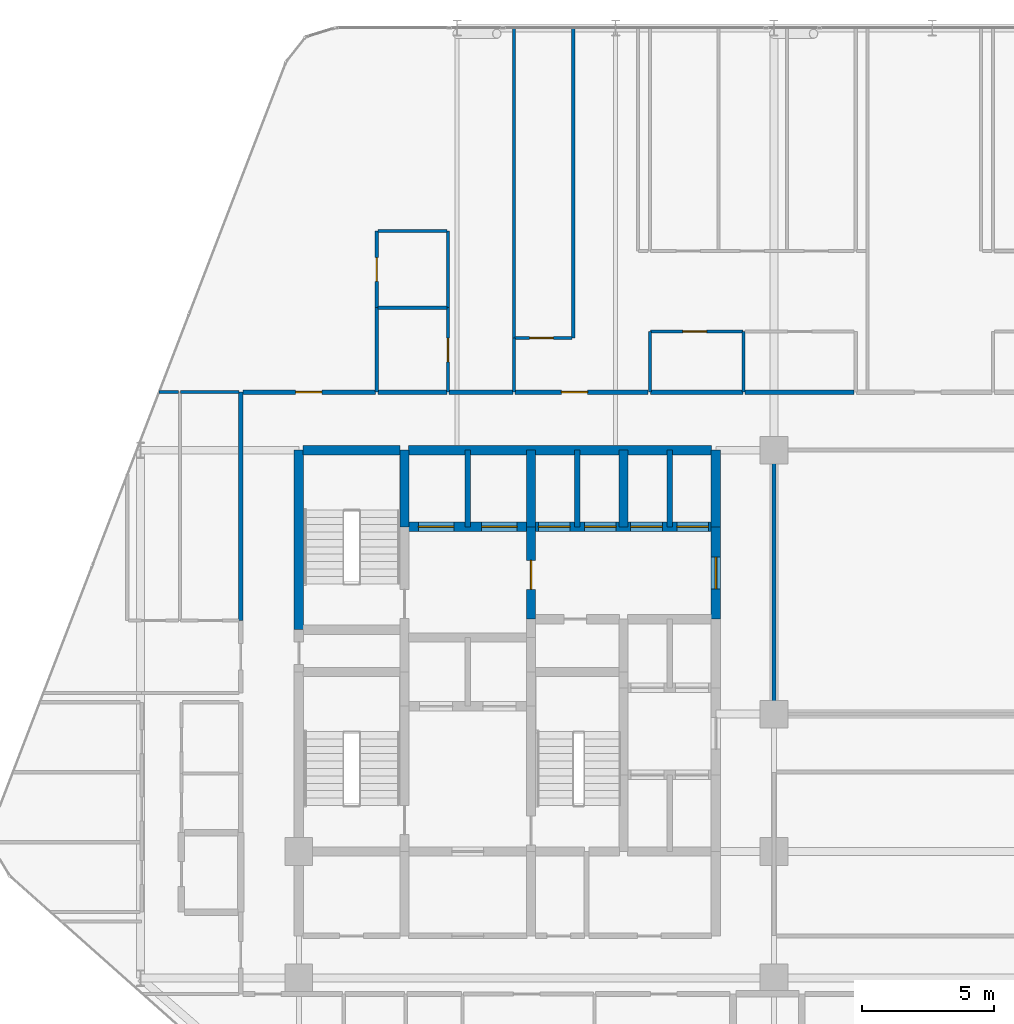
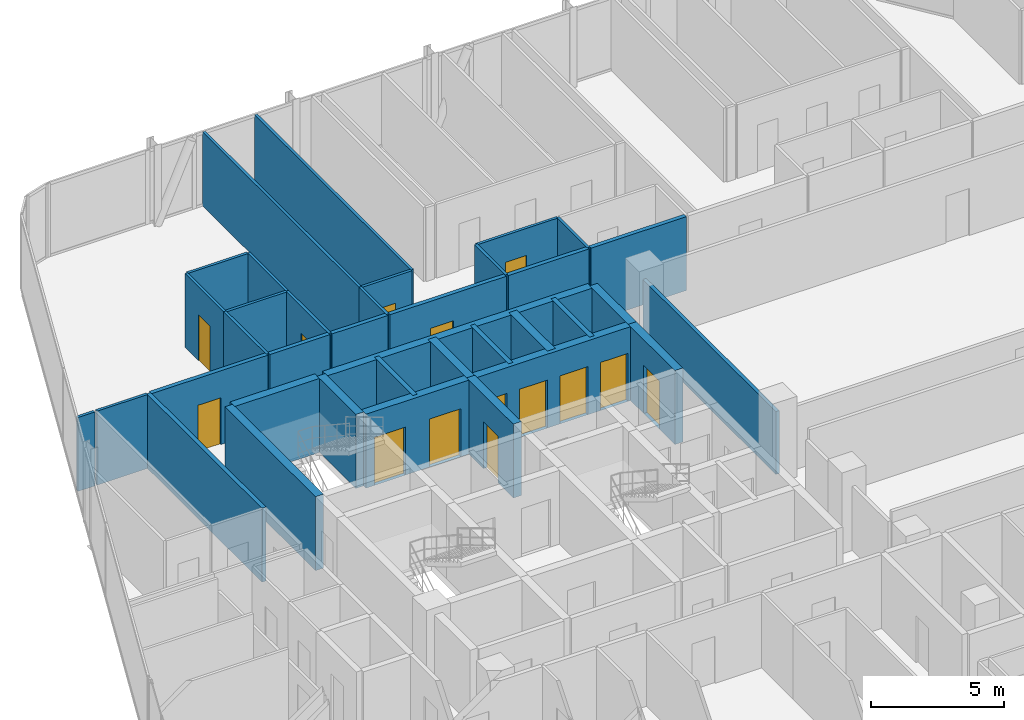
# One storey, part 26 of 29: 36 walls, 14 doors, 14 openings.
"""IFC4 building model written with IfcOpenShell, lengths in metres."""

from ifc_helpers import new_model, si_unit, direction, frame, frame_2d, origin, place, context, subcontext, project, spatial, rectangle, extrude, material, layer, layer_set, type_object, element, fill, save


model = new_model("IFC4")

# Units and contexts
model_context = context("Model", 3, precision=1e-05, world=origin(), true_north=direction((0.0, 1.0)))
body_context = subcontext(model_context, "Body", "Model", "MODEL_VIEW")
ifc_project = project(units=[si_unit("LENGTHUNIT", "METRE"), si_unit("AREAUNIT", "SQUARE_METRE"), si_unit("VOLUMEUNIT", "CUBIC_METRE"), si_unit("PLANEANGLEUNIT", "RADIAN"), si_unit("MASSUNIT", "GRAM", prefix="KILO")], contexts=[model_context])

# Site, building, storey
site_placement = place(None, origin())
site = spatial("IfcSite", under=ifc_project, at=site_placement, CompositionType="ELEMENT")
building_placement = place(site_placement, origin())
building = spatial("IfcBuilding", under=site, at=building_placement, Name="Keshet Zoharim Tower", CompositionType="ELEMENT")
storey_placement = place(building_placement, frame((0.0, 0.0, 105.699951171875)))
storey = spatial("IfcBuildingStorey", under=building, at=storey_placement, Name="L25", CompositionType="ELEMENT", Elevation=105.699951171875)

# Walls
ifc_material_1 = material(Name="Gypsum Plasterboard", Category="gypsum")
ifc_layer_1 = layer(ifc_material_1, 0.14990234375)
ifc_layer_set_1 = layer_set([ifc_layer_1], Name="Gypsum Plasterboard")
wall_type_1 = type_object("IfcWallType", Name="WL-CLIN-150", PredefinedType="STANDARD", material=ifc_layer_set_1)
wall_1_placement = place(storey_placement, frame((33.0, 27.909912109375, 0.0), z_axis=(0.0, 0.0, 1.0), x_axis=(0.0, 1.0, 0.0)))
element("IfcWall", 1, at=wall_1_placement, inside=storey, type_object=wall_type_1, Name="L25 Interior Wall 071", PredefinedType="STANDARD", context=body_context, shape_type="SweptSolid", body=[
    extrude(rectangle(XDim=9.97998046875, YDim=0.14990234375, at=frame_2d((4.989990234375, 0.0))), origin(), (0.0, 0.0, 1.0), 2.885009765625),
])
ifc_material_2 = material(Name="Concrete C60/75", Category="concrete")
ifc_layer_2 = layer(ifc_material_2, 0.35009765625)
ifc_layer_set_2 = layer_set([ifc_layer_2], Name="Concrete C60/75")
wall_type_2 = type_object("IfcWallType", Name="WL-CORE-350", PredefinedType="SHEAR", material=ifc_layer_set_2)
wall_2_placement = place(storey_placement, frame((15.0, 31.10009765625, 0.0), z_axis=(0.0, 0.0, 1.0), x_axis=(0.0, 1.0, 0.0)))
element("IfcWall", 2, at=wall_2_placement, inside=storey, type_object=wall_type_2, Name="L25 Core Shear Wall 016", PredefinedType="SHEAR", context=body_context, shape_type="SweptSolid", body=[
    extrude(rectangle(XDim=6.7998046875, YDim=0.35009765625, at=frame_2d((3.39990234375, 0.0))), origin(), (0.0, 0.0, 1.0), 3.385009765625),
])
wall_3_placement = place(storey_placement, frame((19.0, 35.0, 0.0), z_axis=(0.0, 0.0, 1.0), x_axis=(0.0, 1.0, 0.0)))
element("IfcWall", 3, at=wall_3_placement, inside=storey, type_object=wall_type_2, Name="L25 Core Shear Wall 025", PredefinedType="SHEAR", context=body_context, shape_type="SweptSolid", body=[
    extrude(rectangle(XDim=2.89990234375, YDim=0.35009765625, at=frame_2d((1.449951171875, 0.0))), origin(), (0.0, 0.0, 1.0), 3.385009765625),
])

# Wall, opening, door
wall_4_placement = place(storey_placement, frame((23.800048828125, 31.5, 0.0), z_axis=(0.0, 0.0, 1.0), x_axis=(0.0, 1.0, 0.0)))
wall_4 = element("IfcWall", 4, at=wall_4_placement, inside=storey, type_object=wall_type_2, Name="L25 Core Shear Wall 040", PredefinedType="SHEAR", context=body_context, shape_type="SweptSolid", body=[
    extrude(rectangle(XDim=3.5, YDim=0.35009765625, at=frame_2d((1.75, 0.0))), origin(), (0.0, 0.0, 1.0), 3.385009765625),
])
opening_1_placement = place(wall_4_placement, frame((1.126953125, 0.0, 0.0)))
opening_1 = element("IfcOpeningElement", 5, at=opening_1_placement, cuts=wall_4, Name="Opening D-F611", PredefinedType="OPENING", context=body_context, shape_type="SweptSolid", body=[
    extrude(rectangle(XDim=1.10009765625, YDim=2.14990234375, at=frame_2d((0.550048828125, 1.074951171875))), frame((0.0, 0.18505859375, 0.0), z_axis=(0.0, -1.0, 0.0), x_axis=(1.0, 0.0, 0.0)), (0.0, 0.0, 1.0), 0.3701171875),
])
ifc_material_3 = material(Name="Hardwood Timber", Category="wood")
door_type_1 = type_object("IfcDoorType", Name="DR-FD60-110", OperationType="NOTDEFINED", PredefinedType="DOOR", material=ifc_material_3)
door_1_placement = place(opening_1_placement, origin())
door_1 = element("IfcDoor", 6, at=door_1_placement, inside=storey, type_object=door_type_1, Name="L25 Firefighting Lobby Fire Door", OperationType="SINGLE_SWING_RIGHT", OverallHeight=2.14990234375, OverallWidth=1.10009765625, PredefinedType="DOOR", context=body_context, shape_type="SweptSolid", body=[
    extrude(rectangle(XDim=1.10009765625, YDim=2.14990234375, at=frame_2d((0.550048828125, 1.074951171875))), frame((0.0, 0.02490234375, 0.0), z_axis=(0.0, -1.0, 0.0), x_axis=(1.0, 0.0, 0.0)), (0.0, 0.0, 1.0), 0.050048828125),
])
fill(opening_1, door_1)

# Walls
for number, where, z_axis, x_axis, name in (
    (7, (23.800048828125, 35.0, 0.0), (0.0, 0.0, 1.0), (0.0, 1.0, 0.0), "L25 Core Shear Wall 041"),
    (8, (27.300048828125, 35.0, 0.0), (0.0, 0.0, 1.0), (0.0, 1.0, 0.0), "L25 Core Shear Wall 051"),
):
    element("IfcWall", number, at=place(storey_placement, frame(where, z_axis=z_axis, x_axis=x_axis)), inside=storey, type_object=wall_type_2, Name=name, PredefinedType="SHEAR", context=body_context, shape_type="SweptSolid", body=[
        extrude(rectangle(XDim=2.89990234375, YDim=0.35009765625, at=frame_2d((1.449951171875, 0.0))), origin(), (0.0, 0.0, 1.0), 3.385009765625),
    ])

# Wall, opening, door
wall_5_placement = place(storey_placement, frame((30.800048828125, 31.5, 0.0), z_axis=(0.0, 0.0, 1.0), x_axis=(0.0, 1.0, 0.0)))
wall_5 = element("IfcWall", 9, at=wall_5_placement, inside=storey, type_object=wall_type_2, Name="L25 Core Shear Wall 063", PredefinedType="SHEAR", context=body_context, shape_type="SweptSolid", body=[
    extrude(rectangle(XDim=3.5, YDim=0.35009765625, at=frame_2d((1.75, 0.0))), origin(), (0.0, 0.0, 1.0), 3.385009765625),
])
opening_2_placement = place(wall_5_placement, frame((1.14990234375, 0.0, 0.0)))
opening_2 = element("IfcOpeningElement", 10, at=opening_2_placement, cuts=wall_5, Name="Opening D-F612", PredefinedType="OPENING", context=body_context, shape_type="SweptSolid", body=[
    extrude(rectangle(XDim=1.199951171875, YDim=2.199951171875, at=frame_2d((0.60009765625, 1.10009765625))), frame((0.0, 0.18505859375, 0.0), z_axis=(0.0, -1.0, 0.0), x_axis=(1.0, 0.0, 0.0)), (0.0, 0.0, 1.0), 0.3701171875),
])
door_type_2 = type_object("IfcDoorType", Name="DR-FD60-120", OperationType="NOTDEFINED", PredefinedType="DOOR", material=ifc_material_3)
door_2_placement = place(opening_2_placement, origin())
door_2 = element("IfcDoor", 11, at=door_2_placement, inside=storey, type_object=door_type_2, Name="L25 North Lift Lobby East Fire Door", OperationType="SINGLE_SWING_RIGHT", OverallHeight=2.199951171875, OverallWidth=1.199951171875, PredefinedType="DOOR", context=body_context, shape_type="SweptSolid", body=[
    extrude(rectangle(XDim=1.199951171875, YDim=2.199951171875, at=frame_2d((0.60009765625, 1.10009765625))), frame((0.0, 0.02490234375, 0.0), z_axis=(0.0, -1.0, 0.0), x_axis=(1.0, 0.0, 0.0)), (0.0, 0.0, 1.0), 0.050048828125),
])
fill(opening_2, door_2)

# Wall
wall_6_placement = place(storey_placement, frame((30.800048828125, 35.0, 0.0), z_axis=(0.0, 0.0, 1.0), x_axis=(0.0, 1.0, 0.0)))
element("IfcWall", 12, at=wall_6_placement, inside=storey, type_object=wall_type_2, Name="L25 Core Shear Wall 064", PredefinedType="SHEAR", context=body_context, shape_type="SweptSolid", body=[
    extrude(rectangle(XDim=2.89990234375, YDim=0.35009765625, at=frame_2d((1.449951171875, 0.0))), origin(), (0.0, 0.0, 1.0), 3.385009765625),
])

# Wall, openings, doors
wall_7_placement = place(storey_placement, frame((19.159912109375, 35.0, 0.0), z_axis=(0.0, 0.0, 1.0), x_axis=(1.0, 0.0, 0.0)))
wall_7 = element("IfcWall", 13, at=wall_7_placement, inside=storey, type_object=wall_type_2, Name="L25 Core Shear Wall 175", PredefinedType="SHEAR", context=body_context, shape_type="SweptSolid", body=[
    extrude(rectangle(XDim=11.47998046875, YDim=0.35009765625, at=frame_2d((5.739990234375, 0.0))), origin(), (0.0, 0.0, 1.0), 3.385009765625),
])
opening_3_placement = place(wall_7_placement, frame((0.364990234375, 0.0, 0.0)))
opening_3 = element("IfcOpeningElement", 14, at=opening_3_placement, cuts=wall_7, Name="Opening LD-02", PredefinedType="OPENING", context=body_context, shape_type="SweptSolid", body=[
    extrude(rectangle(XDim=1.35009765625, YDim=2.199951171875, at=frame_2d((0.675048828125, 1.10009765625))), frame((0.0, 0.18505859375, 0.0), z_axis=(0.0, -1.0, 0.0), x_axis=(1.0, 0.0, 0.0)), (0.0, 0.0, 1.0), 0.3701171875),
])
opening_4_placement = place(wall_7_placement, frame((2.764892578125, 0.0, 0.0)))
opening_4 = element("IfcOpeningElement", 15, at=opening_4_placement, cuts=wall_7, Name="Opening LD-02", PredefinedType="OPENING", context=body_context, shape_type="SweptSolid", body=[
    extrude(rectangle(XDim=1.35009765625, YDim=2.199951171875, at=frame_2d((0.675048828125, 1.10009765625))), frame((0.0, 0.18505859375, 0.0), z_axis=(0.0, -1.0, 0.0), x_axis=(1.0, 0.0, 0.0)), (0.0, 0.0, 1.0), 0.3701171875),
])
opening_5_placement = place(wall_7_placement, frame((4.9150390625, 0.0, 0.0)))
opening_5 = element("IfcOpeningElement", 16, at=opening_5_placement, cuts=wall_7, Name="Opening LD-03", PredefinedType="OPENING", context=body_context, shape_type="SweptSolid", body=[
    extrude(rectangle(XDim=1.199951171875, YDim=2.199951171875, at=frame_2d((0.60009765625, 1.10009765625))), frame((0.0, 0.18505859375, 0.0), z_axis=(0.0, -1.0, 0.0), x_axis=(1.0, 0.0, 0.0)), (0.0, 0.0, 1.0), 0.3701171875),
])
opening_6_placement = place(wall_7_placement, frame((6.6650390625, 0.0, 0.0)))
opening_6 = element("IfcOpeningElement", 17, at=opening_6_placement, cuts=wall_7, Name="Opening LD-03", PredefinedType="OPENING", context=body_context, shape_type="SweptSolid", body=[
    extrude(rectangle(XDim=1.199951171875, YDim=2.199951171875, at=frame_2d((0.60009765625, 1.10009765625))), frame((0.0, 0.18505859375, 0.0), z_axis=(0.0, -1.0, 0.0), x_axis=(1.0, 0.0, 0.0)), (0.0, 0.0, 1.0), 0.3701171875),
])
opening_7_placement = place(wall_7_placement, frame((8.4150390625, 0.0, 0.0)))
opening_7 = element("IfcOpeningElement", 18, at=opening_7_placement, cuts=wall_7, Name="Opening LD-03", PredefinedType="OPENING", context=body_context, shape_type="SweptSolid", body=[
    extrude(rectangle(XDim=1.199951171875, YDim=2.199951171875, at=frame_2d((0.60009765625, 1.10009765625))), frame((0.0, 0.18505859375, 0.0), z_axis=(0.0, -1.0, 0.0), x_axis=(1.0, 0.0, 0.0)), (0.0, 0.0, 1.0), 0.3701171875),
])
opening_8_placement = place(wall_7_placement, frame((10.159912109375, 0.0, 0.0)))
opening_8 = element("IfcOpeningElement", 19, at=opening_8_placement, cuts=wall_7, Name="Opening LD-03", PredefinedType="OPENING", context=body_context, shape_type="SweptSolid", body=[
    extrude(rectangle(XDim=1.199951171875, YDim=2.199951171875, at=frame_2d((0.60009765625, 1.10009765625))), frame((0.0, 0.18505859375, 0.0), z_axis=(0.0, -1.0, 0.0), x_axis=(1.0, 0.0, 0.0)), (0.0, 0.0, 1.0), 0.3701171875),
])
ifc_material_4 = material(Name="Steel S355", Category="steel")
door_type_3 = type_object("IfcDoorType", Name="DR-LD02-135", OperationType="DOUBLE_DOOR_SLIDING", PredefinedType="DOOR", material=ifc_material_4)
door_3_placement = place(opening_3_placement, origin())
door_3 = element("IfcDoor", 20, at=door_3_placement, inside=storey, type_object=door_type_3, Name="L25 Firefighting Lift Landing Door FF-01", OperationType="DOUBLE_DOOR_SLIDING", OverallHeight=2.199951171875, OverallWidth=1.35009765625, PredefinedType="DOOR", context=body_context, shape_type="SweptSolid", body=[
    extrude(rectangle(XDim=1.35009765625, YDim=2.199951171875, at=frame_2d((0.675048828125, 1.10009765625))), frame((0.0, 0.02490234375, 0.0), z_axis=(0.0, -1.0, 0.0), x_axis=(1.0, 0.0, 0.0)), (0.0, 0.0, 1.0), 0.050048828125),
])
fill(opening_3, door_3)
door_4_placement = place(opening_4_placement, origin())
door_4 = element("IfcDoor", 21, at=door_4_placement, inside=storey, type_object=door_type_3, Name="L25 Firefighting Lift Landing Door FF-02", OperationType="DOUBLE_DOOR_SLIDING", OverallHeight=2.199951171875, OverallWidth=1.35009765625, PredefinedType="DOOR", context=body_context, shape_type="SweptSolid", body=[
    extrude(rectangle(XDim=1.35009765625, YDim=2.199951171875, at=frame_2d((0.675048828125, 1.10009765625))), frame((0.0, 0.02490234375, 0.0), z_axis=(0.0, -1.0, 0.0), x_axis=(1.0, 0.0, 0.0)), (0.0, 0.0, 1.0), 0.050048828125),
])
fill(opening_4, door_4)
door_type_4 = type_object("IfcDoorType", Name="DR-LD03-120", OperationType="DOUBLE_DOOR_SLIDING", PredefinedType="DOOR", material=ifc_material_4)
door_5_placement = place(opening_5_placement, origin())
door_5 = element("IfcDoor", 22, at=door_5_placement, inside=storey, type_object=door_type_4, Name="L25 Passenger Lift Landing Door LF-01", OperationType="DOUBLE_DOOR_SLIDING", OverallHeight=2.199951171875, OverallWidth=1.199951171875, PredefinedType="DOOR", context=body_context, shape_type="SweptSolid", body=[
    extrude(rectangle(XDim=1.199951171875, YDim=2.199951171875, at=frame_2d((0.60009765625, 1.10009765625))), frame((0.0, 0.02490234375, 0.0), z_axis=(0.0, -1.0, 0.0), x_axis=(1.0, 0.0, 0.0)), (0.0, 0.0, 1.0), 0.050048828125),
])
fill(opening_5, door_5)
door_6_placement = place(opening_6_placement, origin())
door_6 = element("IfcDoor", 23, at=door_6_placement, inside=storey, type_object=door_type_4, Name="L25 Passenger Lift Landing Door LF-02", OperationType="DOUBLE_DOOR_SLIDING", OverallHeight=2.199951171875, OverallWidth=1.199951171875, PredefinedType="DOOR", context=body_context, shape_type="SweptSolid", body=[
    extrude(rectangle(XDim=1.199951171875, YDim=2.199951171875, at=frame_2d((0.60009765625, 1.10009765625))), frame((0.0, 0.02490234375, 0.0), z_axis=(0.0, -1.0, 0.0), x_axis=(1.0, 0.0, 0.0)), (0.0, 0.0, 1.0), 0.050048828125),
])
fill(opening_6, door_6)
door_7_placement = place(opening_7_placement, origin())
door_7 = element("IfcDoor", 24, at=door_7_placement, inside=storey, type_object=door_type_4, Name="L25 Passenger Lift Landing Door LF-03", OperationType="DOUBLE_DOOR_SLIDING", OverallHeight=2.199951171875, OverallWidth=1.199951171875, PredefinedType="DOOR", context=body_context, shape_type="SweptSolid", body=[
    extrude(rectangle(XDim=1.199951171875, YDim=2.199951171875, at=frame_2d((0.60009765625, 1.10009765625))), frame((0.0, 0.02490234375, 0.0), z_axis=(0.0, -1.0, 0.0), x_axis=(1.0, 0.0, 0.0)), (0.0, 0.0, 1.0), 0.050048828125),
])
fill(opening_7, door_7)
door_8_placement = place(opening_8_placement, origin())
door_8 = element("IfcDoor", 25, at=door_8_placement, inside=storey, type_object=door_type_4, Name="L25 Passenger Lift Landing Door LF-04", OperationType="DOUBLE_DOOR_SLIDING", OverallHeight=2.199951171875, OverallWidth=1.199951171875, PredefinedType="DOOR", context=body_context, shape_type="SweptSolid", body=[
    extrude(rectangle(XDim=1.199951171875, YDim=2.199951171875, at=frame_2d((0.60009765625, 1.10009765625))), frame((0.0, 0.02490234375, 0.0), z_axis=(0.0, -1.0, 0.0), x_axis=(1.0, 0.0, 0.0)), (0.0, 0.0, 1.0), 0.050048828125),
])
fill(opening_8, door_8)

# Walls
wall_8_placement = place(storey_placement, frame((15.159912109375, 37.89990234375, 0.0), z_axis=(0.0, 0.0, 1.0), x_axis=(1.0, 0.0, 0.0)))
element("IfcWall", 26, at=wall_8_placement, inside=storey, type_object=wall_type_2, Name="L25 Core Shear Wall 176", PredefinedType="SHEAR", context=body_context, shape_type="SweptSolid", body=[
    extrude(rectangle(XDim=3.68017578125, YDim=0.35009765625, at=frame_2d((1.840087890625, 0.0))), origin(), (0.0, 0.0, 1.0), 3.385009765625),
])
wall_9_placement = place(storey_placement, frame((19.159912109375, 37.89990234375, 0.0), z_axis=(0.0, 0.0, 1.0), x_axis=(1.0, 0.0, 0.0)))
element("IfcWall", 27, at=wall_9_placement, inside=storey, type_object=wall_type_2, Name="L25 Core Shear Wall 177", PredefinedType="SHEAR", context=body_context, shape_type="SweptSolid", body=[
    extrude(rectangle(XDim=11.47998046875, YDim=0.35009765625, at=frame_2d((5.739990234375, 0.0))), origin(), (0.0, 0.0, 1.0), 3.385009765625),
])
ifc_layer_3 = layer(ifc_material_1, 0.179931640625)
ifc_layer_set_3 = layer_set([ifc_layer_3], Name="Gypsum Plasterboard")
wall_type_3 = type_object("IfcWallType", Name="WL-CORR-180", PredefinedType="STANDARD", material=ifc_layer_set_3)
wall_10_placement = place(storey_placement, frame((12.800048828125, 31.449951171875, 0.0), z_axis=(0.0, 0.0, 1.0), x_axis=(0.0, 1.0, 0.0)))
element("IfcWall", 28, at=wall_10_placement, inside=storey, type_object=wall_type_3, Name="L25 Interior Wall 012", PredefinedType="STANDARD", context=body_context, shape_type="SweptSolid", body=[
    extrude(rectangle(XDim=8.650146484375, YDim=0.179931640625, at=frame_2d((4.3251953125, 0.0))), origin(), (0.0, 0.0, 1.0), 3.385009765625),
])

# Wall, opening, door
wall_11_placement = place(storey_placement, frame((12.875, 40.10009765625, 0.0), z_axis=(0.0, 0.0, 1.0), x_axis=(1.0, 0.0, 0.0)))
wall_11 = element("IfcWall", 29, at=wall_11_placement, inside=storey, type_object=wall_type_3, Name="L25 Interior Wall 181", PredefinedType="STANDARD", context=body_context, shape_type="SweptSolid", body=[
    extrude(rectangle(XDim=5.030029296875, YDim=0.179931640625, at=frame_2d((2.51513671875, 0.0))), origin(), (0.0, 0.0, 1.0), 3.385009765625),
])
opening_9_placement = place(wall_11_placement, frame((2.0, 0.0, 0.0)))
opening_9 = element("IfcOpeningElement", 30, at=opening_9_placement, cuts=wall_11, Name="Opening D-F310", PredefinedType="OPENING", context=body_context, shape_type="SweptSolid", body=[
    extrude(rectangle(XDim=1.0, YDim=2.14990234375, at=frame_2d((0.5, 1.074951171875))), frame((0.0, 0.10009765625, 0.0), z_axis=(0.0, -1.0, 0.0), x_axis=(1.0, 0.0, 0.0)), (0.0, 0.0, 1.0), 0.199951171875),
])
door_type_5 = type_object("IfcDoorType", Name="DR-FD30-100", OperationType="NOTDEFINED", PredefinedType="DOOR", material=ifc_material_3)
door_9_placement = place(opening_9_placement, origin())
door_9 = element("IfcDoor", 31, at=door_9_placement, inside=storey, type_object=door_type_5, Name="Apartment 2504 Entrance Door", OperationType="SINGLE_SWING_RIGHT", OverallHeight=2.14990234375, OverallWidth=1.0, PredefinedType="DOOR", context=body_context, shape_type="SweptSolid", body=[
    extrude(rectangle(XDim=1.0, YDim=2.14990234375, at=frame_2d((0.5, 1.074951171875))), frame((0.0, 0.02490234375, 0.0), z_axis=(0.0, -1.0, 0.0), x_axis=(1.0, 0.0, 0.0)), (0.0, 0.0, 1.0), 0.050048828125),
])
fill(opening_9, door_9)

# Walls
wall_12_placement = place(storey_placement, frame((17.9951171875, 40.10009765625, 0.0), z_axis=(0.0, 0.0, 1.0), x_axis=(1.0, 0.0, 0.0)))
element("IfcWall", 32, at=wall_12_placement, inside=storey, type_object=wall_type_3, Name="L25 Interior Wall 182", PredefinedType="STANDARD", context=body_context, shape_type="SweptSolid", body=[
    extrude(rectangle(XDim=2.60986328125, YDim=0.179931640625, at=frame_2d((1.304931640625, 0.0))), origin(), (0.0, 0.0, 1.0), 3.385009765625),
])
wall_13_placement = place(storey_placement, frame((20.695068359375, 40.10009765625, 0.0), z_axis=(0.0, 0.0, 1.0), x_axis=(1.0, 0.0, 0.0)))
element("IfcWall", 33, at=wall_13_placement, inside=storey, type_object=wall_type_3, Name="L25 Interior Wall 183", PredefinedType="STANDARD", context=body_context, shape_type="SweptSolid", body=[
    extrude(rectangle(XDim=2.409912109375, YDim=0.179931640625, at=frame_2d((1.205078125, 0.0))), origin(), (0.0, 0.0, 1.0), 3.385009765625),
])

# Wall, opening, door
wall_14_placement = place(storey_placement, frame((23.195068359375, 40.10009765625, 0.0), z_axis=(0.0, 0.0, 1.0), x_axis=(1.0, 0.0, 0.0)))
wall_14 = element("IfcWall", 34, at=wall_14_placement, inside=storey, type_object=wall_type_3, Name="L25 Interior Wall 184", PredefinedType="STANDARD", context=body_context, shape_type="SweptSolid", body=[
    extrude(rectangle(XDim=5.0400390625, YDim=0.179931640625, at=frame_2d((2.52001953125, 0.0))), origin(), (0.0, 0.0, 1.0), 3.385009765625),
])
opening_10_placement = place(wall_14_placement, frame((1.75, 0.0, 0.0)))
opening_10 = element("IfcOpeningElement", 35, at=opening_10_placement, cuts=wall_14, Name="Opening D-F310", PredefinedType="OPENING", context=body_context, shape_type="SweptSolid", body=[
    extrude(rectangle(XDim=1.0, YDim=2.14990234375, at=frame_2d((0.5, 1.074951171875))), frame((0.0, 0.10009765625, 0.0), z_axis=(0.0, -1.0, 0.0), x_axis=(1.0, 0.0, 0.0)), (0.0, 0.0, 1.0), 0.199951171875),
])
door_10_placement = place(opening_10_placement, origin())
door_10 = element("IfcDoor", 36, at=door_10_placement, inside=storey, type_object=door_type_5, Name="Apartment 2505 Entrance Door", OperationType="SINGLE_SWING_LEFT", OverallHeight=2.14990234375, OverallWidth=1.0, PredefinedType="DOOR", context=body_context, shape_type="SweptSolid", body=[
    extrude(rectangle(XDim=1.0, YDim=2.14990234375, at=frame_2d((0.5, 1.074951171875))), frame((0.0, 0.02490234375, 0.0), z_axis=(0.0, -1.0, 0.0), x_axis=(1.0, 0.0, 0.0)), (0.0, 0.0, 1.0), 0.050048828125),
])
fill(opening_10, door_10)

# Walls
wall_15_placement = place(storey_placement, frame((28.324951171875, 40.10009765625, 0.0), z_axis=(0.0, 0.0, 1.0), x_axis=(1.0, 0.0, 0.0)))
element("IfcWall", 37, at=wall_15_placement, inside=storey, type_object=wall_type_3, Name="L25 Interior Wall 185", PredefinedType="STANDARD", context=body_context, shape_type="SweptSolid", body=[
    extrude(rectangle(XDim=3.498046875, YDim=0.179931640625, at=frame_2d((1.7490234375, 0.0))), origin(), (0.0, 0.0, 1.0), 3.385009765625),
])
wall_16_placement = place(storey_placement, frame((31.9130859375, 40.10009765625, 0.0), z_axis=(0.0, 0.0, 1.0), x_axis=(1.0, 0.0, 0.0)))
element("IfcWall", 38, at=wall_16_placement, inside=storey, type_object=wall_type_3, Name="L25 Interior Wall 186", PredefinedType="STANDARD", context=body_context, shape_type="SweptSolid", body=[
    extrude(rectangle(XDim=4.121826171875, YDim=0.179931640625, at=frame_2d((2.06103515625, 0.0))), origin(), (0.0, 0.0, 1.0), 3.385009765625),
])
ifc_material_5 = material(Name="Concrete C50/60", Category="concrete")
ifc_layer_4 = layer(ifc_material_5, 0.199951171875)
ifc_layer_set_4 = layer_set([ifc_layer_4], Name="Concrete C50/60")
wall_type_4 = type_object("IfcWallType", Name="WL-FIRE-200", PredefinedType="STANDARD", material=ifc_layer_set_4)
for number, where, z_axis, x_axis, name in (
    (39, (21.39990234375, 35.0, 0.0), (0.0, 0.0, 1.0), (0.0, 1.0, 0.0), "L25 Interior Wall 032"),
    (40, (25.550048828125, 35.0, 0.0), (0.0, 0.0, 1.0), (0.0, 1.0, 0.0), "L25 Interior Wall 043"),
    (41, (29.050048828125, 35.0, 0.0), (0.0, 0.0, 1.0), (0.0, 1.0, 0.0), "L25 Interior Wall 058"),
):
    element("IfcWall", number, at=place(storey_placement, frame(where, z_axis=z_axis, x_axis=x_axis)), inside=storey, type_object=wall_type_4, Name=name, PredefinedType="STANDARD", context=body_context, shape_type="SweptSolid", body=[
        extrude(rectangle(XDim=2.89990234375, YDim=0.199951171875, at=frame_2d((1.449951171875, 0.0))), origin(), (0.0, 0.0, 1.0), 3.385009765625),
    ])
ifc_layer_5 = layer(ifc_material_1, 0.1201171875)
ifc_layer_set_5 = layer_set([ifc_layer_5], Name="Gypsum Plasterboard")
wall_type_5 = type_object("IfcWallType", Name="WL-PART-120", PredefinedType="PARTITIONING", material=ifc_layer_set_5)
wall_17_placement = place(storey_placement, frame((17.949951171875, 40.10009765625, 0.0), z_axis=(0.0, 0.0, 1.0), x_axis=(0.0, 1.0, 0.0)))
element("IfcWall", 42, at=wall_17_placement, inside=storey, type_object=wall_type_5, Name="L25 Interior Wall 019", PredefinedType="PARTITIONING", context=body_context, shape_type="SweptSolid", body=[
    extrude(rectangle(XDim=3.199951171875, YDim=0.1201171875, at=frame_2d((1.60009765625, 0.0))), origin(), (0.0, 0.0, 1.0), 3.385009765625),
])

# Wall, opening, door
wall_18_placement = place(storey_placement, frame((20.64990234375, 40.10009765625, 0.0), z_axis=(0.0, 0.0, 1.0), x_axis=(0.0, 1.0, 0.0)))
wall_18 = element("IfcWall", 43, at=wall_18_placement, inside=storey, type_object=wall_type_5, Name="L25 Interior Wall 028", PredefinedType="PARTITIONING", context=body_context, shape_type="SweptSolid", body=[
    extrude(rectangle(XDim=3.199951171875, YDim=0.1201171875, at=frame_2d((1.60009765625, 0.0))), origin(), (0.0, 0.0, 1.0), 3.385009765625),
])
opening_11_placement = place(wall_18_placement, frame((1.14990234375, 0.0, 0.0)))
opening_11 = element("IfcOpeningElement", 44, at=opening_11_placement, cuts=wall_18, Name="Opening D-IN90", PredefinedType="OPENING", context=body_context, shape_type="SweptSolid", body=[
    extrude(rectangle(XDim=0.89990234375, YDim=2.14990234375, at=frame_2d((0.449951171875, 1.074951171875))), frame((0.0, 0.070068359375, 0.0), z_axis=(0.0, -1.0, 0.0), x_axis=(1.0, 0.0, 0.0)), (0.0, 0.0, 1.0), 0.14013671875),
])
door_type_6 = type_object("IfcDoorType", Name="DR-INT-090", OperationType="NOTDEFINED", PredefinedType="DOOR", material=ifc_material_3)
door_11_placement = place(opening_11_placement, origin())
door_11 = element("IfcDoor", 45, at=door_11_placement, inside=storey, type_object=door_type_6, Name="Apartment 2504 Kitchenette Door", OperationType="SINGLE_SWING_RIGHT", OverallHeight=2.14990234375, OverallWidth=0.89990234375, PredefinedType="DOOR", context=body_context, shape_type="SweptSolid", body=[
    extrude(rectangle(XDim=0.89990234375, YDim=2.14990234375, at=frame_2d((0.449951171875, 1.074951171875))), frame((0.0, 0.02490234375, 0.0), z_axis=(0.0, -1.0, 0.0), x_axis=(1.0, 0.0, 0.0)), (0.0, 0.0, 1.0), 0.050048828125),
])
fill(opening_11, door_11)

# Walls
wall_19_placement = place(storey_placement, frame((23.14990234375, 40.10009765625, 0.0), z_axis=(0.0, 0.0, 1.0), x_axis=(0.0, 1.0, 0.0)))
element("IfcWall", 46, at=wall_19_placement, inside=storey, type_object=wall_type_5, Name="L25 Interior Wall 033", PredefinedType="PARTITIONING", context=body_context, shape_type="SweptSolid", body=[
    extrude(rectangle(XDim=2.0498046875, YDim=0.1201171875, at=frame_2d((1.02490234375, 0.0))), origin(), (0.0, 0.0, 1.0), 3.385009765625),
])
for number, where, z_axis, x_axis, name in (
    (47, (23.14990234375, 42.14990234375, 0.0), (0.0, 0.0, 1.0), (0.0, 1.0, 0.0), "L25 Interior Wall 034"),
    (48, (25.39990234375, 42.14990234375, 0.0), (0.0, 0.0, 1.0), (0.0, 1.0, 0.0), "L25 Interior Wall 042"),
):
    element("IfcWall", number, at=place(storey_placement, frame(where, z_axis=z_axis, x_axis=x_axis)), inside=storey, type_object=wall_type_5, Name=name, PredefinedType="PARTITIONING", context=body_context, shape_type="SweptSolid", body=[
        extrude(rectangle(XDim=11.739990234375, YDim=0.1201171875, at=frame_2d((5.8701171875, 0.0))), origin(), (0.0, 0.0, 1.0), 3.385009765625),
    ])
wall_20_placement = place(storey_placement, frame((28.300048828125, 40.10009765625, 0.0), z_axis=(0.0, 0.0, 1.0), x_axis=(0.0, 1.0, 0.0)))
element("IfcWall", 49, at=wall_20_placement, inside=storey, type_object=wall_type_5, Name="L25 Interior Wall 053", PredefinedType="PARTITIONING", context=body_context, shape_type="SweptSolid", body=[
    extrude(rectangle(XDim=2.2998046875, YDim=0.1201171875, at=frame_2d((1.14990234375, 0.0))), origin(), (0.0, 0.0, 1.0), 3.385009765625),
])
wall_21_placement = place(storey_placement, frame((9.701904296875, 40.10009765625, 0.0), z_axis=(0.0, 0.0, 1.0), x_axis=(1.0, 0.0, 0.0)))
element("IfcWall", 50, at=wall_21_placement, inside=storey, type_object=wall_type_5, Name="L25 Interior Wall 179", PredefinedType="PARTITIONING", context=body_context, shape_type="SweptSolid", body=[
    extrude(rectangle(XDim=0.731201171875, YDim=0.1201171875, at=frame_2d((0.36572265625, 0.0))), origin(), (0.0, 0.0, 1.0), 3.385009765625),
])

# Wall, opening, door
wall_22_placement = place(storey_placement, frame((23.195068359375, 42.14990234375, 0.0), z_axis=(0.0, 0.0, 1.0), x_axis=(1.0, 0.0, 0.0)))
wall_22 = element("IfcWall", 51, at=wall_22_placement, inside=storey, type_object=wall_type_5, Name="L25 Interior Wall 196", PredefinedType="PARTITIONING", context=body_context, shape_type="SweptSolid", body=[
    extrude(rectangle(XDim=2.159912109375, YDim=0.1201171875, at=frame_2d((1.080078125, 0.0))), origin(), (0.0, 0.0, 1.0), 3.385009765625),
])
opening_12_placement = place(wall_22_placement, frame((0.552978515625, 0.0, 0.0)))
opening_12 = element("IfcOpeningElement", 52, at=opening_12_placement, cuts=wall_22, Name="Opening D-IN90", PredefinedType="OPENING", context=body_context, shape_type="SweptSolid", body=[
    extrude(rectangle(XDim=0.89990234375, YDim=2.14990234375, at=frame_2d((0.449951171875, 1.074951171875))), frame((0.0, 0.070068359375, 0.0), z_axis=(0.0, -1.0, 0.0), x_axis=(1.0, 0.0, 0.0)), (0.0, 0.0, 1.0), 0.14013671875),
])
door_12_placement = place(opening_12_placement, origin())
door_12 = element("IfcDoor", 53, at=door_12_placement, inside=storey, type_object=door_type_6, Name="Apartment 2505 Formal Dining Room Door", OperationType="SINGLE_SWING_RIGHT", OverallHeight=2.14990234375, OverallWidth=0.89990234375, PredefinedType="DOOR", context=body_context, shape_type="SweptSolid", body=[
    extrude(rectangle(XDim=0.89990234375, YDim=2.14990234375, at=frame_2d((0.449951171875, 1.074951171875))), frame((0.0, 0.02490234375, 0.0), z_axis=(0.0, -1.0, 0.0), x_axis=(1.0, 0.0, 0.0)), (0.0, 0.0, 1.0), 0.050048828125),
])
fill(opening_12, door_12)

wall_23_placement = place(storey_placement, frame((28.324951171875, 42.39990234375, 0.0), z_axis=(0.0, 0.0, 1.0), x_axis=(1.0, 0.0, 0.0)))
wall_23 = element("IfcWall", 54, at=wall_23_placement, inside=storey, type_object=wall_type_5, Name="L25 Interior Wall 197", PredefinedType="PARTITIONING", context=body_context, shape_type="SweptSolid", body=[
    extrude(rectangle(XDim=3.498046875, YDim=0.1201171875, at=frame_2d((1.7490234375, 0.0))), origin(), (0.0, 0.0, 1.0), 3.385009765625),
])
opening_13_placement = place(wall_23_placement, frame((1.22607421875, 0.0, 0.0)))
opening_13 = element("IfcOpeningElement", 55, at=opening_13_placement, cuts=wall_23, Name="Opening D-IN90", PredefinedType="OPENING", context=body_context, shape_type="SweptSolid", body=[
    extrude(rectangle(XDim=0.89990234375, YDim=2.14990234375, at=frame_2d((0.449951171875, 1.074951171875))), frame((0.0, 0.070068359375, 0.0), z_axis=(0.0, -1.0, 0.0), x_axis=(1.0, 0.0, 0.0)), (0.0, 0.0, 1.0), 0.14013671875),
])
door_13_placement = place(opening_13_placement, origin())
door_13 = element("IfcDoor", 56, at=door_13_placement, inside=storey, type_object=door_type_6, Name="Apartment 2505 Kitchen Door", OperationType="SINGLE_SWING_LEFT", OverallHeight=2.14990234375, OverallWidth=0.89990234375, PredefinedType="DOOR", context=body_context, shape_type="SweptSolid", body=[
    extrude(rectangle(XDim=0.89990234375, YDim=2.14990234375, at=frame_2d((0.449951171875, 1.074951171875))), frame((0.0, 0.02490234375, 0.0), z_axis=(0.0, -1.0, 0.0), x_axis=(1.0, 0.0, 0.0)), (0.0, 0.0, 1.0), 0.050048828125),
])
fill(opening_13, door_13)

ifc_layer_6 = layer(ifc_material_1, 0.1201171875)
ifc_layer_set_6 = layer_set([ifc_layer_6], Name="Gypsum Plasterboard")
wall_type_6 = type_object("IfcWallType", Name="WL-WET-120", PredefinedType="PARTITIONING", material=ifc_layer_set_6)
wall_24_placement = place(storey_placement, frame((17.949951171875, 43.300048828125, 0.0), z_axis=(0.0, 0.0, 1.0), x_axis=(0.0, 1.0, 0.0)))
wall_24 = element("IfcWall", 57, at=wall_24_placement, inside=storey, type_object=wall_type_6, Name="L25 Interior Wall 020", PredefinedType="PARTITIONING", context=body_context, shape_type="SweptSolid", body=[
    extrude(rectangle(XDim=2.89990234375, YDim=0.1201171875, at=frame_2d((1.449951171875, 0.0))), origin(), (0.0, 0.0, 1.0), 3.385009765625),
])
opening_14_placement = place(wall_24_placement, frame((1.0, 0.0, 0.0)))
opening_14 = element("IfcOpeningElement", 58, at=opening_14_placement, cuts=wall_24, Name="Opening D-WT90", PredefinedType="OPENING", context=body_context, shape_type="SweptSolid", body=[
    extrude(rectangle(XDim=0.89990234375, YDim=2.10009765625, at=frame_2d((0.449951171875, 1.050048828125))), frame((0.0, 0.070068359375, 0.0), z_axis=(0.0, -1.0, 0.0), x_axis=(1.0, 0.0, 0.0)), (0.0, 0.0, 1.0), 0.14013671875),
])
door_type_7 = type_object("IfcDoorType", Name="DR-WET-090", OperationType="NOTDEFINED", PredefinedType="DOOR", material=ifc_material_3)
door_14_placement = place(opening_14_placement, origin())
door_14 = element("IfcDoor", 59, at=door_14_placement, inside=storey, type_object=door_type_7, Name="Apartment 2504 Bathroom Door", OperationType="SINGLE_SWING_RIGHT", OverallHeight=2.10009765625, OverallWidth=0.89990234375, PredefinedType="DOOR", context=body_context, shape_type="SweptSolid", body=[
    extrude(rectangle(XDim=0.89990234375, YDim=2.10009765625, at=frame_2d((0.449951171875, 1.050048828125))), frame((0.0, 0.02490234375, 0.0), z_axis=(0.0, -1.0, 0.0), x_axis=(1.0, 0.0, 0.0)), (0.0, 0.0, 1.0), 0.050048828125),
])
fill(opening_14, door_14)

# Walls
wall_25_placement = place(storey_placement, frame((20.64990234375, 43.300048828125, 0.0), z_axis=(0.0, 0.0, 1.0), x_axis=(0.0, 1.0, 0.0)))
element("IfcWall", 60, at=wall_25_placement, inside=storey, type_object=wall_type_6, Name="L25 Interior Wall 029", PredefinedType="PARTITIONING", context=body_context, shape_type="SweptSolid", body=[
    extrude(rectangle(XDim=2.89990234375, YDim=0.1201171875, at=frame_2d((1.449951171875, 0.0))), origin(), (0.0, 0.0, 1.0), 3.385009765625),
])
wall_26_placement = place(storey_placement, frame((31.85009765625, 40.10009765625, 0.0), z_axis=(0.0, 0.0, 1.0), x_axis=(0.0, 1.0, 0.0)))
element("IfcWall", 61, at=wall_26_placement, inside=storey, type_object=wall_type_6, Name="L25 Interior Wall 069", PredefinedType="PARTITIONING", context=body_context, shape_type="SweptSolid", body=[
    extrude(rectangle(XDim=2.2998046875, YDim=0.1201171875, at=frame_2d((1.14990234375, 0.0))), origin(), (0.0, 0.0, 1.0), 3.385009765625),
])
wall_27_placement = place(storey_placement, frame((10.52294921875, 40.10009765625, 0.0), z_axis=(0.0, 0.0, 1.0), x_axis=(1.0, 0.0, 0.0)))
element("IfcWall", 62, at=wall_27_placement, inside=storey, type_object=wall_type_6, Name="L25 Interior Wall 180", PredefinedType="PARTITIONING", context=body_context, shape_type="SweptSolid", body=[
    extrude(rectangle(XDim=2.2021484375, YDim=0.1201171875, at=frame_2d((1.10107421875, 0.0))), origin(), (0.0, 0.0, 1.0), 3.385009765625),
])
for number, where, z_axis, x_axis, name in (
    (63, (17.9951171875, 43.300048828125, 0.0), (0.0, 0.0, 1.0), (1.0, 0.0, 0.0), "L25 Interior Wall 203"),
    (64, (17.9951171875, 46.199951171875, 0.0), (0.0, 0.0, 1.0), (1.0, 0.0, 0.0), "L25 Interior Wall 211"),
):
    element("IfcWall", number, at=place(storey_placement, frame(where, z_axis=z_axis, x_axis=x_axis)), inside=storey, type_object=wall_type_6, Name=name, PredefinedType="PARTITIONING", context=body_context, shape_type="SweptSolid", body=[
        extrude(rectangle(XDim=2.60986328125, YDim=0.1201171875, at=frame_2d((1.304931640625, 0.0))), origin(), (0.0, 0.0, 1.0), 3.385009765625),
    ])

save(model, "model.ifc")
